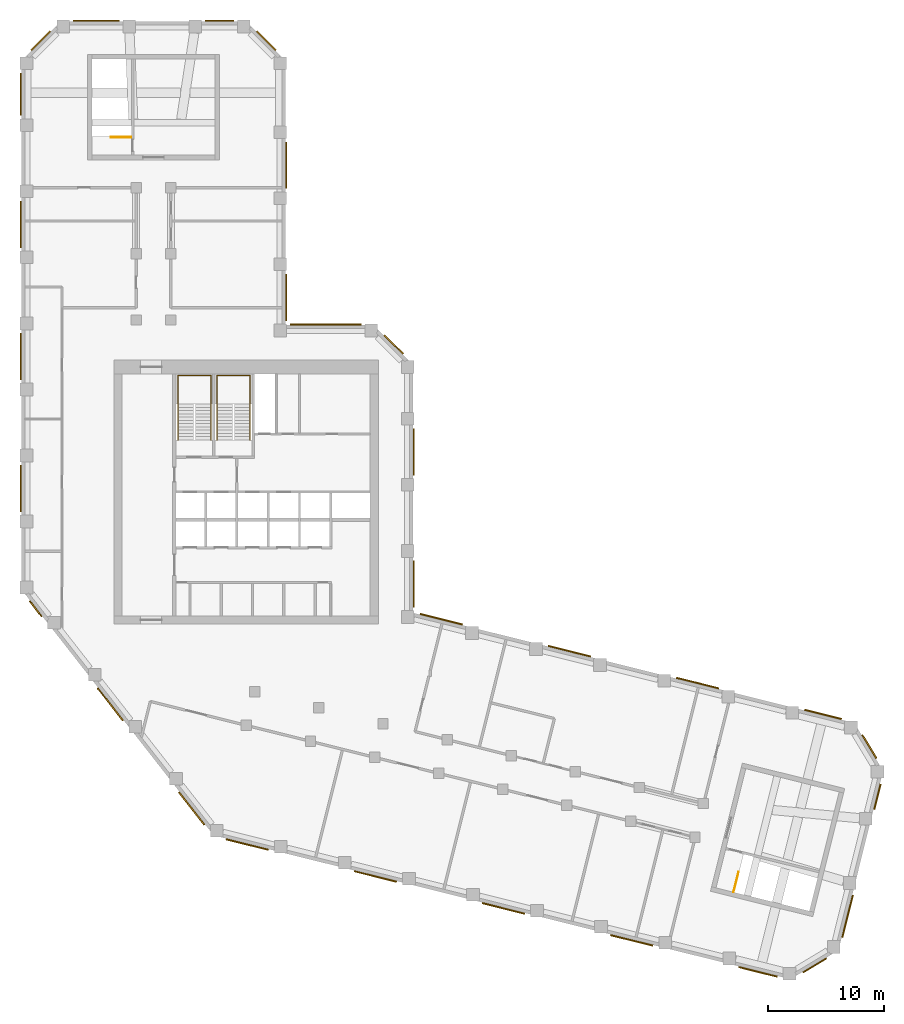
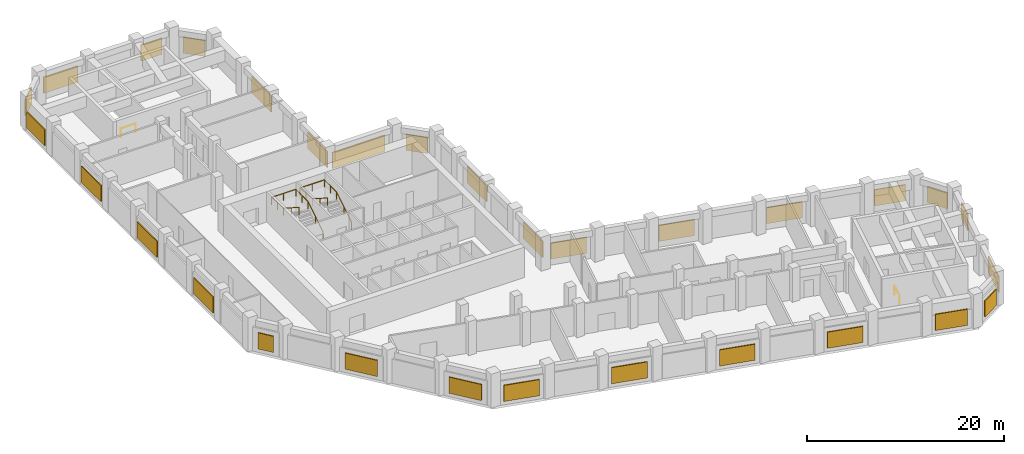
# One storey, part 8 of 8: 30 shading devices, 4 railings.
"""IFC4 building model written with IfcOpenShell, lengths in metres."""

from ifc_helpers import new_model, si_unit, direction, frame, origin, origin_2d, place, context, subcontext, project, spatial, rectangle, circle, extrude, material, layer, layer_set, type_object, element, save


model = new_model("IFC4")

# Units and contexts
model_context = context("Model", 3, precision=1e-05, world=origin(), true_north=direction((0.0, 1.0)))
body_context = subcontext(model_context, "Body", "Model", "MODEL_VIEW")
ifc_project = project(units=[si_unit("LENGTHUNIT", "METRE"), si_unit("AREAUNIT", "SQUARE_METRE"), si_unit("VOLUMEUNIT", "CUBIC_METRE"), si_unit("PLANEANGLEUNIT", "RADIAN"), si_unit("MASSUNIT", "GRAM", prefix="KILO")], contexts=[model_context])

# Site, building, storey
site_placement = place(None, origin())
site = spatial("IfcSite", under=ifc_project, at=site_placement, CompositionType="ELEMENT")
building_placement = place(site_placement, origin())
building = spatial("IfcBuilding", under=site, at=building_placement, Name="Meshkara Civic Tower", CompositionType="ELEMENT")
storey_placement = place(building_placement, frame((0.0, 0.0, 280.199951171875)))
storey = spatial("IfcBuildingStorey", under=building, at=storey_placement, Name="L64", CompositionType="ELEMENT", Elevation=280.199951171875)

# Shading devices
ifc_material_1 = material(Name="Bronze anodised aluminium louvre blades", Category="aluminium")
ifc_layer = layer(ifc_material_1, 0.1201171875)
ifc_layer_set = layer_set([ifc_layer], Name="PLANT LOUVRE BANK")
shading_device_type = type_object("IfcShadingDeviceType", Name="PLANT LOUVRE BANK", PredefinedType="USERDEFINED", material=ifc_layer_set)
shading_device_1_placement = place(storey_placement, frame((69.18701171875, 6.30908203125, 0.5), z_axis=(0.0, 0.0, 1.0), x_axis=(-0.970291503795, 0.241938830418, 0.0)))
element("IfcShadingDevice", 1, at=shading_device_1_placement, inside=storey, type_object=shading_device_type, Name="Louvre bank", ObjectType="LOUVRE", PredefinedType="USERDEFINED", context=body_context, shape_type="SweptSolid", body=[
    extrude(rectangle(XDim=3.281982421875, YDim=0.1201171875, at=origin_2d()), origin(), (0.0, 0.0, 1.0), 2.0),
])
shading_device_2_placement = place(storey_placement, frame((58.361083984375, 9.009033203125, 0.5), z_axis=(0.0, 0.0, 1.0), x_axis=(-0.970291503795, 0.241938830418, 0.0)))
element("IfcShadingDevice", 2, at=shading_device_2_placement, inside=storey, type_object=shading_device_type, Name="Louvre bank", ObjectType="LOUVRE", PredefinedType="USERDEFINED", context=body_context, shape_type="SweptSolid", body=[
    extrude(rectangle(XDim=3.76611328125, YDim=0.1201171875, at=origin_2d()), origin(), (0.0, 0.0, 1.0), 2.0),
])
for number, where, z_axis, x_axis, name in (
    (3, (47.300048828125, 11.76708984375, 0.5), (0.0, 0.0, 1.0), (-0.970291503795, 0.241938830418, 0.0), "Louvre bank"),
    (4, (36.239013671875, 14.52490234375, 0.5), (0.0, 0.0, 1.0), (-0.970291503795, 0.241938830418, 0.0), "Louvre bank"),
):
    element("IfcShadingDevice", number, at=place(storey_placement, frame(where, z_axis=z_axis, x_axis=x_axis)), inside=storey, type_object=shading_device_type, Name=name, ObjectType="LOUVRE", PredefinedType="USERDEFINED", context=body_context, shape_type="SweptSolid", body=[
        extrude(rectangle(XDim=3.76708984375, YDim=0.1201171875, at=origin_2d()), origin(), (0.0, 0.0, 1.0), 2.0),
    ])
for number, where, z_axis, x_axis, name in (
    (5, (33.860107421875, 17.569091796875, 0.5), (0.0, 0.0, 1.0), (0.0, 1.0, 0.0), "Louvre bank"),
    (6, (33.860107421875, 28.968994140625, 0.5), (0.0, 0.0, 1.0), (0.0, 1.0, 0.0), "Louvre bank"),
):
    element("IfcShadingDevice", number, at=place(storey_placement, frame(where, z_axis=z_axis, x_axis=x_axis)), inside=storey, type_object=shading_device_type, Name=name, ObjectType="LOUVRE", PredefinedType="USERDEFINED", context=body_context, shape_type="SweptSolid", body=[
        extrude(rectangle(XDim=4.0, YDim=0.1201171875, at=origin_2d()), origin(), (0.0, 0.0, 1.0), 2.0),
    ])
shading_device_3_placement = place(storey_placement, frame((32.132080078125, 38.23193359375, 0.5), z_axis=(0.0, 0.0, 1.0), x_axis=(-0.707106781187, 0.707106781187, 0.0)))
element("IfcShadingDevice", 7, at=shading_device_3_placement, inside=storey, type_object=shading_device_type, Name="Louvre bank", ObjectType="LOUVRE", PredefinedType="USERDEFINED", context=body_context, shape_type="SweptSolid", body=[
    extrude(rectangle(XDim=2.30810546875, YDim=0.1201171875, at=origin_2d()), origin(), (0.0, 0.0, 1.0), 2.0),
])
shading_device_4_placement = place(storey_placement, frame((26.27197265625, 39.9599609375, 0.5), z_axis=(0.0, 0.0, 1.0), x_axis=(-1.0, 0.0, 0.0)))
element("IfcShadingDevice", 8, at=shading_device_4_placement, inside=storey, type_object=shading_device_type, Name="Louvre bank", ObjectType="LOUVRE", PredefinedType="USERDEFINED", context=body_context, shape_type="SweptSolid", body=[
    extrude(rectangle(XDim=6.14404296875, YDim=0.1201171875, at=origin_2d()), origin(), (0.0, 0.0, 1.0), 2.0),
])
for number, where, z_axis, x_axis, name in (
    (9, (22.860107421875, 42.300048828125, 0.5), (0.0, 0.0, 1.0), (0.0, 1.0, 0.0), "Louvre bank"),
    (10, (22.860107421875, 53.699951171875, 0.5), (0.0, 0.0, 1.0), (0.0, 1.0, 0.0), "Louvre bank"),
):
    element("IfcShadingDevice", number, at=place(storey_placement, frame(where, z_axis=z_axis, x_axis=x_axis)), inside=storey, type_object=shading_device_type, Name=name, ObjectType="LOUVRE", PredefinedType="USERDEFINED", context=body_context, shape_type="SweptSolid", body=[
        extrude(rectangle(XDim=4.0, YDim=0.1201171875, at=origin_2d()), origin(), (0.0, 0.0, 1.0), 2.0),
    ])
shading_device_5_placement = place(storey_placement, frame((21.132080078125, 64.451904296875, 0.5), z_axis=(0.0, 0.0, 1.0), x_axis=(-0.707106781187, 0.707106781187, 0.0)))
element("IfcShadingDevice", 11, at=shading_device_5_placement, inside=storey, type_object=shading_device_type, Name="Louvre bank", ObjectType="LOUVRE", PredefinedType="USERDEFINED", context=body_context, shape_type="SweptSolid", body=[
    extrude(rectangle(XDim=2.30810546875, YDim=0.1201171875, at=origin_2d()), origin(), (0.0, 0.0, 1.0), 2.0),
])
shading_device_6_placement = place(storey_placement, frame((17.10009765625, 66.179931640625, 0.5), z_axis=(0.0, 0.0, 1.0), x_axis=(-1.0, 0.0, 0.0)))
element("IfcShadingDevice", 12, at=shading_device_6_placement, inside=storey, type_object=shading_device_type, Name="Louvre bank", ObjectType="LOUVRE", PredefinedType="USERDEFINED", context=body_context, shape_type="SweptSolid", body=[
    extrude(rectangle(XDim=2.488037109375, YDim=0.1201171875, at=origin_2d()), origin(), (0.0, 0.0, 1.0), 2.0),
])
shading_device_7_placement = place(storey_placement, frame((6.4560546875, 66.179931640625, 0.5), z_axis=(0.0, 0.0, 1.0), x_axis=(-1.0, 0.0, 0.0)))
element("IfcShadingDevice", 13, at=shading_device_7_placement, inside=storey, type_object=shading_device_type, Name="Louvre bank", ObjectType="LOUVRE", PredefinedType="USERDEFINED", context=body_context, shape_type="SweptSolid", body=[
    extrude(rectangle(XDim=4.0, YDim=0.1201171875, at=origin_2d()), origin(), (0.0, 0.0, 1.0), 2.0),
])
shading_device_8_placement = place(storey_placement, frame((1.66796875, 64.451904296875, 0.5), z_axis=(0.0, 0.0, 1.0), x_axis=(-0.707106781187, -0.707106781187, 0.0)))
element("IfcShadingDevice", 14, at=shading_device_8_placement, inside=storey, type_object=shading_device_type, Name="Louvre bank", ObjectType="LOUVRE", PredefinedType="USERDEFINED", context=body_context, shape_type="SweptSolid", body=[
    extrude(rectangle(XDim=2.30810546875, YDim=0.1201171875, at=origin_2d()), origin(), (0.0, 0.0, 1.0), 2.0),
])
shading_device_9_placement = place(storey_placement, frame((-0.06005859375, 59.8349609375, 0.5), z_axis=(0.0, 0.0, 1.0), x_axis=(0.0, -1.0, 0.0)))
element("IfcShadingDevice", 15, at=shading_device_9_placement, inside=storey, type_object=shading_device_type, Name="Louvre bank", ObjectType="LOUVRE", PredefinedType="USERDEFINED", context=body_context, shape_type="SweptSolid", body=[
    extrude(rectangle(XDim=3.658935546875, YDim=0.1201171875, at=origin_2d()), origin(), (0.0, 0.0, 1.0), 2.0),
])
for number, where, z_axis, x_axis, name in (
    (16, (-0.06005859375, 48.60498046875, 0.5), (0.0, 0.0, 1.0), (0.0, -1.0, 0.0), "Louvre bank"),
    (17, (-0.06005859375, 37.205078125, 0.5), (0.0, 0.0, 1.0), (0.0, -1.0, 0.0), "Louvre bank"),
    (18, (-0.06005859375, 25.804931640625, 0.5), (0.0, 0.0, 1.0), (0.0, -1.0, 0.0), "Louvre bank"),
):
    element("IfcShadingDevice", number, at=place(storey_placement, frame(where, z_axis=z_axis, x_axis=x_axis)), inside=storey, type_object=shading_device_type, Name=name, ObjectType="LOUVRE", PredefinedType="USERDEFINED", context=body_context, shape_type="SweptSolid", body=[
        extrude(rectangle(XDim=4.0, YDim=0.1201171875, at=origin_2d()), origin(), (0.0, 0.0, 1.0), 2.0),
    ])
shading_device_10_placement = place(storey_placement, frame((1.22998046875, 15.427978515625, 0.5), z_axis=(0.0, 0.0, 1.0), x_axis=(0.615661475326, -0.788010753607, 0.0)))
element("IfcShadingDevice", 19, at=shading_device_10_placement, inside=storey, type_object=shading_device_type, Name="Louvre bank", ObjectType="LOUVRE", PredefinedType="USERDEFINED", context=body_context, shape_type="SweptSolid", body=[
    extrude(rectangle(XDim=1.696044921875, YDim=0.1201171875, at=origin_2d()), origin(), (0.0, 0.0, 1.0), 2.0),
])
shading_device_11_placement = place(storey_placement, frame((7.676025390625, 7.177001953125, 0.5), z_axis=(0.0, 0.0, 1.0), x_axis=(0.615661475326, -0.788010753607, 0.0)))
element("IfcShadingDevice", 20, at=shading_device_11_placement, inside=storey, type_object=shading_device_type, Name="Louvre bank", ObjectType="LOUVRE", PredefinedType="USERDEFINED", context=body_context, shape_type="SweptSolid", body=[
    extrude(rectangle(XDim=3.556884765625, YDim=0.1201171875, at=origin_2d()), origin(), (0.0, 0.0, 1.0), 2.0),
])
shading_device_12_placement = place(storey_placement, frame((14.695068359375, -1.805908203125, 0.5), z_axis=(0.0, 0.0, 1.0), x_axis=(0.615661475326, -0.788010753607, 0.0)))
element("IfcShadingDevice", 21, at=shading_device_12_placement, inside=storey, type_object=shading_device_type, Name="Louvre bank", ObjectType="LOUVRE", PredefinedType="USERDEFINED", context=body_context, shape_type="SweptSolid", body=[
    extrude(rectangle(XDim=3.555908203125, YDim=0.1201171875, at=origin_2d()), origin(), (0.0, 0.0, 1.0), 2.0),
])
for number, where, z_axis, x_axis, name in (
    (22, (19.492919921875, -4.922119140625, 0.5), (0.0, 0.0, 1.0), (0.970299948462, -0.241904960708, 0.0), "Louvre bank"),
    (23, (30.553955078125, -7.679931640625, 0.5), (0.0, 0.0, 1.0), (0.970299948462, -0.241904960708, 0.0), "Louvre bank"),
    (24, (41.615966796875, -10.43798828125, 0.5), (0.0, 0.0, 1.0), (0.970299948462, -0.241904960708, 0.0), "Louvre bank"),
    (25, (52.677001953125, -13.195068359375, 0.5), (0.0, 0.0, 1.0), (0.970299948462, -0.241904960708, 0.0), "Louvre bank"),
):
    element("IfcShadingDevice", number, at=place(storey_placement, frame(where, z_axis=z_axis, x_axis=x_axis)), inside=storey, type_object=shading_device_type, Name=name, ObjectType="LOUVRE", PredefinedType="USERDEFINED", context=body_context, shape_type="SweptSolid", body=[
        extrude(rectangle(XDim=3.76708984375, YDim=0.1201171875, at=origin_2d()), origin(), (0.0, 0.0, 1.0), 2.0),
    ])
shading_device_13_placement = place(storey_placement, frame((63.572998046875, -15.912109375, 0.5), z_axis=(0.0, 0.0, 1.0), x_axis=(0.970299948462, -0.241904960708, 0.0)))
element("IfcShadingDevice", 26, at=shading_device_13_placement, inside=storey, type_object=shading_device_type, Name="Louvre bank", ObjectType="LOUVRE", PredefinedType="USERDEFINED", context=body_context, shape_type="SweptSolid", body=[
    extrude(rectangle(XDim=3.425048828125, YDim=0.1201171875, at=origin_2d()), origin(), (0.0, 0.0, 1.0), 2.0),
])
shading_device_14_placement = place(storey_placement, frame((68.471923828125, -15.35302734375, 0.5), z_axis=(0.0, 0.0, 1.0), x_axis=(0.8571852784, 0.515008153813, 0.0)))
element("IfcShadingDevice", 27, at=shading_device_14_placement, inside=storey, type_object=shading_device_type, Name="Louvre bank", ObjectType="LOUVRE", PredefinedType="USERDEFINED", context=body_context, shape_type="SweptSolid", body=[
    extrude(rectangle(XDim=2.35400390625, YDim=0.1201171875, at=origin_2d()), origin(), (0.0, 0.0, 1.0), 2.0),
])
shading_device_15_placement = place(storey_placement, frame((71.306884765625, -11.1240234375, 0.5), z_axis=(0.0, 0.0, 1.0), x_axis=(0.2419218956, 0.970295726276, 0.0)))
element("IfcShadingDevice", 28, at=shading_device_15_placement, inside=storey, type_object=shading_device_type, Name="Louvre bank", ObjectType="LOUVRE", PredefinedType="USERDEFINED", context=body_context, shape_type="SweptSolid", body=[
    extrude(rectangle(XDim=3.76708984375, YDim=0.1201171875, at=origin_2d()), origin(), (0.0, 0.0, 1.0), 2.0),
])
shading_device_16_placement = place(storey_placement, frame((73.882080078125, -0.797119140625, 0.5), z_axis=(0.0, 0.0, 1.0), x_axis=(0.2419218956, 0.970295726276, 0.0)))
element("IfcShadingDevice", 29, at=shading_device_16_placement, inside=storey, type_object=shading_device_type, Name="Louvre bank", ObjectType="LOUVRE", PredefinedType="USERDEFINED", context=body_context, shape_type="SweptSolid", body=[
    extrude(rectangle(XDim=2.25390625, YDim=0.1201171875, at=origin_2d()), origin(), (0.0, 0.0, 1.0), 2.0),
])
shading_device_17_placement = place(storey_placement, frame((73.180908203125, 3.532958984375, 0.5), z_axis=(0.0, 0.0, 1.0), x_axis=(-0.515097915221, 0.857131342173, 0.0)))
element("IfcShadingDevice", 30, at=shading_device_17_placement, inside=storey, type_object=shading_device_type, Name="Louvre bank", ObjectType="LOUVRE", PredefinedType="USERDEFINED", context=body_context, shape_type="SweptSolid", body=[
    extrude(rectangle(XDim=2.35302734375, YDim=0.1201171875, at=origin_2d()), origin(), (0.0, 0.0, 1.0), 2.0),
])

# Railings
ifc_material_2 = material(Name="Steel guard", Category="steel")
railing_type_1 = type_object("IfcRailingType", Name="Stair guard 1100", PredefinedType="GUARDRAIL", material=ifc_material_2)
railing_1_placement = place(storey_placement, frame((9.47509765625, 56.1201171875, 0.0)))
element("IfcRailing", 31, at=railing_1_placement, inside=storey, type_object=railing_type_1, Name="L64 ESA4 top well guard 1", PredefinedType="GUARDRAIL", context=body_context, shape_type="SweptSolid", body=[
    extrude(circle(Radius=0.02392578125, at=origin_2d()), frame((0.0, 0.0, 1.076171875), z_axis=(-1.0, 0.0, 0.0), x_axis=(0.0, -1.0, 0.0)), (0.0, 0.0, 1.0), 1.75),
    extrude(circle(Radius=0.02099609375, at=origin_2d()), origin(), (0.0, 0.0, 1.0), 1.052001953125),
    extrude(circle(Radius=0.02099609375, at=origin_2d()), frame((-1.75, 0.0, 0.0)), (0.0, 0.0, 1.0), 1.052001953125),
])
railing_2_placement = place(storey_placement, frame((61.46533203125, -9.012451171875, 0.0)))
element("IfcRailing", 32, at=railing_2_placement, inside=storey, type_object=railing_type_1, Name="L64 ESB4 top well guard 1", PredefinedType="GUARDRAIL", context=body_context, shape_type="SweptSolid", body=[
    extrude(circle(Radius=0.02392578125, at=origin_2d()), frame((0.0, 0.0, 1.076171875), z_axis=(0.24217454562, 0.970232698611, 0.0), x_axis=(-0.970232698611, 0.24217454562, 0.0)), (0.0, 0.0, 1.0), 1.75),
    extrude(circle(Radius=0.02099609375, at=origin_2d()), origin(), (0.0, 0.0, 1.0), 1.052001953125),
    extrude(circle(Radius=0.02099609375, at=origin_2d()), frame((0.423828125, 1.697998046875, 0.0)), (0.0, 0.0, 1.0), 1.052001953125),
])
ifc_material_3 = material(Name="Steel handrail", Category="steel")
railing_type_2 = type_object("IfcRailingType", Name="Stair handrail 900", PredefinedType="HANDRAIL", material=ifc_material_3)
railing_3_placement = place(storey_placement, frame((16.375, 30.0, 0.175048828125)))
element("IfcRailing", 33, at=railing_3_placement, inside=storey, type_object=railing_type_2, Name="L64 ST1 stair handrail 1", PredefinedType="HANDRAIL", context=body_context, shape_type="SweptSolid", body=[
    extrude(circle(Radius=0.02392578125, at=origin_2d()), frame((0.0, 0.0, 0.8759765625), z_axis=(0.0, 0.847998304005, 0.529998940003), x_axis=(-1.0, 0.0, 0.0)), (0.0, 0.0, 1.0), 3.632080078125),
    extrude(circle(Radius=0.02392578125, at=origin_2d()), frame((0.0, 3.080078125, 2.80078125), z_axis=(0.0, 1.0, 0.0), x_axis=(-1.0, 0.0, 0.0)), (0.0, 0.0, 1.0), 2.469970703125),
    extrude(circle(Radius=0.02392578125, at=origin_2d()), frame((0.0, 5.550048828125, 2.80078125), z_axis=(-1.0, 0.0, 0.0), x_axis=(0.0, -1.0, 0.0)), (0.0, 0.0, 1.0), 2.85009765625),
    extrude(circle(Radius=0.02392578125, at=origin_2d()), frame((-2.85009765625, 5.550048828125, 2.80078125), z_axis=(0.0, -0.997498084828, 0.070693498747), x_axis=(1.0, 0.0, 0.0)), (0.0, 0.0, 1.0), 2.47607421875),
    extrude(circle(Radius=0.02392578125, at=origin_2d()), frame((-2.85009765625, 3.080078125, 2.97607421875), z_axis=(0.0, -0.848028513186, 0.529950602248), x_axis=(1.0, 0.0, 0.0)), (0.0, 0.0, 1.0), 3.632080078125),
    extrude(circle(Radius=0.02099609375, at=origin_2d()), origin(), (0.0, 0.0, 1.0), 0.851806640625),
    extrude(circle(Radius=0.02099609375, at=origin_2d()), frame((0.0, 1.5400390625, 0.96240234375)), (0.0, 0.0, 1.0), 0.851806640625),
    extrude(circle(Radius=0.02099609375, at=origin_2d()), frame((0.0, 3.080078125, 1.925048828125)), (0.0, 0.0, 1.0), 0.851806640625),
    extrude(circle(Radius=0.02099609375, at=origin_2d()), frame((0.0, 4.31494140625, 1.925048828125)), (0.0, 0.0, 1.0), 0.851806640625),
    extrude(circle(Radius=0.02099609375, at=origin_2d()), frame((0.0, 5.550048828125, 1.925048828125)), (0.0, 0.0, 1.0), 0.851806640625),
    extrude(circle(Radius=0.02099609375, at=origin_2d()), frame((-1.425048828125, 5.550048828125, 1.925048828125)), (0.0, 0.0, 1.0), 0.851806640625),
    extrude(circle(Radius=0.02099609375, at=origin_2d()), frame((-2.85009765625, 5.550048828125, 1.925048828125)), (0.0, 0.0, 1.0), 0.851806640625),
    extrude(circle(Radius=0.02099609375, at=origin_2d()), frame((-2.85009765625, 4.31494140625, 2.0126953125)), (0.0, 0.0, 1.0), 0.851806640625),
    extrude(circle(Radius=0.02099609375, at=origin_2d()), frame((-2.85009765625, 3.080078125, 2.10009765625)), (0.0, 0.0, 1.0), 0.851806640625),
    extrude(circle(Radius=0.02099609375, at=origin_2d()), frame((-2.85009765625, 1.5400390625, 3.0625)), (0.0, 0.0, 1.0), 0.851806640625),
    extrude(circle(Radius=0.02099609375, at=origin_2d()), frame((-2.85009765625, 0.0, 4.02490234375)), (0.0, 0.0, 1.0), 0.851806640625),
])
railing_4_placement = place(storey_placement, frame((19.72509765625, 30.0, 0.175048828125)))
element("IfcRailing", 34, at=railing_4_placement, inside=storey, type_object=railing_type_2, Name="L64 ST2 stair handrail 1", PredefinedType="HANDRAIL", context=body_context, shape_type="SweptSolid", body=[
    extrude(circle(Radius=0.02392578125, at=origin_2d()), frame((0.0, 0.0, 0.8759765625), z_axis=(0.0, 0.847998304005, 0.529998940003), x_axis=(-1.0, 0.0, 0.0)), (0.0, 0.0, 1.0), 3.632080078125),
    extrude(circle(Radius=0.02392578125, at=origin_2d()), frame((0.0, 3.080078125, 2.80078125), z_axis=(0.0, 1.0, 0.0), x_axis=(-1.0, 0.0, 0.0)), (0.0, 0.0, 1.0), 2.469970703125),
    extrude(circle(Radius=0.02392578125, at=origin_2d()), frame((0.0, 5.550048828125, 2.80078125), z_axis=(-1.0, 0.0, 0.0), x_axis=(0.0, -1.0, 0.0)), (0.0, 0.0, 1.0), 2.85009765625),
    extrude(circle(Radius=0.02392578125, at=origin_2d()), frame((-2.85009765625, 5.550048828125, 2.80078125), z_axis=(0.0, -0.997498084828, 0.070693498747), x_axis=(1.0, 0.0, 0.0)), (0.0, 0.0, 1.0), 2.47607421875),
    extrude(circle(Radius=0.02392578125, at=origin_2d()), frame((-2.85009765625, 3.080078125, 2.97607421875), z_axis=(0.0, -0.848028513186, 0.529950602248), x_axis=(1.0, 0.0, 0.0)), (0.0, 0.0, 1.0), 3.632080078125),
    extrude(circle(Radius=0.02099609375, at=origin_2d()), origin(), (0.0, 0.0, 1.0), 0.851806640625),
    extrude(circle(Radius=0.02099609375, at=origin_2d()), frame((0.0, 1.5400390625, 0.96240234375)), (0.0, 0.0, 1.0), 0.851806640625),
    extrude(circle(Radius=0.02099609375, at=origin_2d()), frame((0.0, 3.080078125, 1.925048828125)), (0.0, 0.0, 1.0), 0.851806640625),
    extrude(circle(Radius=0.02099609375, at=origin_2d()), frame((0.0, 4.31494140625, 1.925048828125)), (0.0, 0.0, 1.0), 0.851806640625),
    extrude(circle(Radius=0.02099609375, at=origin_2d()), frame((0.0, 5.550048828125, 1.925048828125)), (0.0, 0.0, 1.0), 0.851806640625),
    extrude(circle(Radius=0.02099609375, at=origin_2d()), frame((-1.425048828125, 5.550048828125, 1.925048828125)), (0.0, 0.0, 1.0), 0.851806640625),
    extrude(circle(Radius=0.02099609375, at=origin_2d()), frame((-2.85009765625, 5.550048828125, 1.925048828125)), (0.0, 0.0, 1.0), 0.851806640625),
    extrude(circle(Radius=0.02099609375, at=origin_2d()), frame((-2.85009765625, 4.31494140625, 2.0126953125)), (0.0, 0.0, 1.0), 0.851806640625),
    extrude(circle(Radius=0.02099609375, at=origin_2d()), frame((-2.85009765625, 3.080078125, 2.10009765625)), (0.0, 0.0, 1.0), 0.851806640625),
    extrude(circle(Radius=0.02099609375, at=origin_2d()), frame((-2.85009765625, 1.5400390625, 3.0625)), (0.0, 0.0, 1.0), 0.851806640625),
    extrude(circle(Radius=0.02099609375, at=origin_2d()), frame((-2.85009765625, 0.0, 4.02490234375)), (0.0, 0.0, 1.0), 0.851806640625),
])

save(model, "model.ifc")
